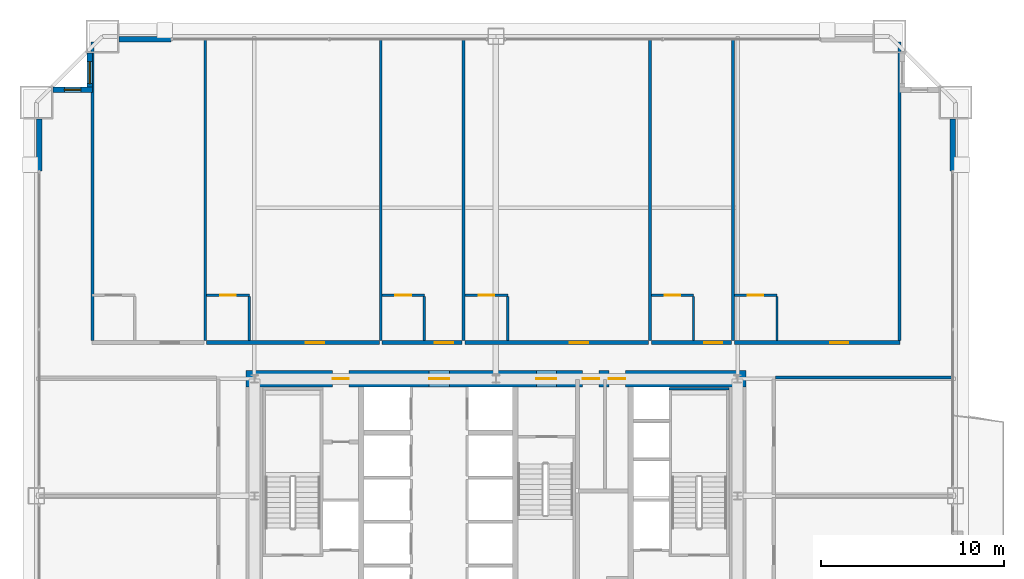
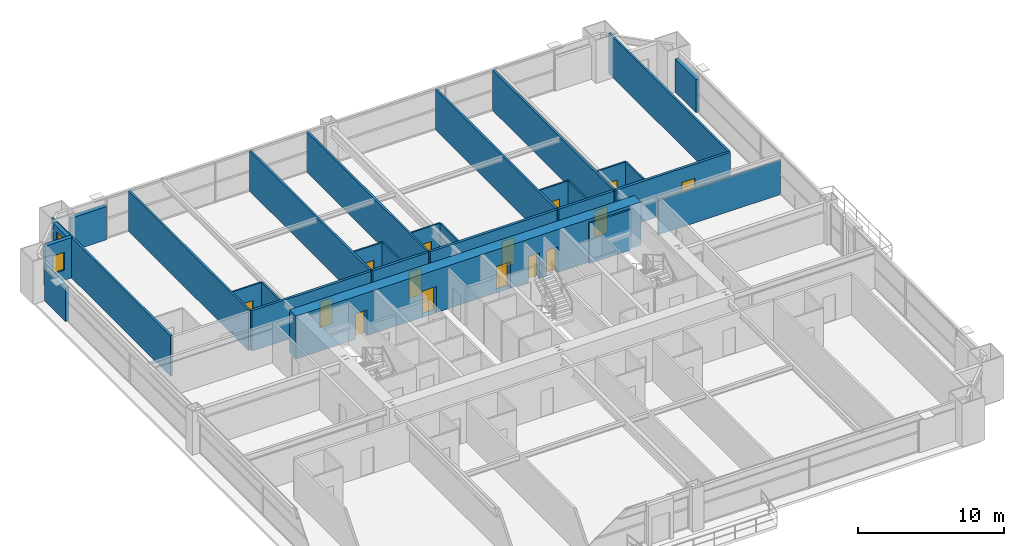
# One storey, part 41 of 43: 30 walls, 15 doors, 2 windows, 17 openings.
"""IFC4 building model written with IfcOpenShell, lengths in metres."""

import ifcopenshell
import ifcopenshell.guid

model = None  # the IFC model being written
_history = None  # IfcOwnerHistory: only IFC2X3 demands one
_inside = {}  # id of a spatial element -> (the spatial element, [elements in it])
_under = {}  # id of a project, library or spatial element -> (it, [spatial elements below it])
_declared = {}  # id of a project -> (the project, [libraries it declares])
_typed = {}  # id of a type object -> (the type object, [elements of that type])
_made_of = {}  # id of a material, layer set ... -> (it, [elements and type objects made of it])


def new_model(schema):
    """Start an empty IFC model of exactly this schema.

    Asked for "IFC4X3", IfcOpenShell would pick the latest addendum, in which some entities
    have other attributes; the version numbers below select the first issue.
    IFC2X3 requires an IfcOwnerHistory on every rooted entity: one is made here for all.
    """
    global model, _history
    if schema == "IFC4X3":
        model = ifcopenshell.file(schema_version=(4, 3, 0, 0))
    else:
        model = ifcopenshell.file(schema=schema)
    _inside.clear()
    _under.clear()
    _declared.clear()
    _typed.clear()
    _made_of.clear()
    _history = None
    if model.schema == "IFC2X3":
        org = make("IfcOrganization", Name="unknown")
        user = make(
            "IfcPersonAndOrganization",
            ThePerson=make("IfcPerson", FamilyName="unknown"),
            TheOrganization=org,
        )
        app = make(
            "IfcApplication",
            ApplicationDeveloper=org,
            Version="unknown",
            ApplicationFullName="unknown",
            ApplicationIdentifier="unknown",
        )
        _history = make(
            "IfcOwnerHistory",
            OwningUser=user,
            OwningApplication=app,
            ChangeAction="ADDED",
            CreationDate=0,
        )
    return model


def make(cls, **values):
    """One entity of the class cls with the attributes given. An attribute that is None is left unset."""
    return model.create_entity(
        cls, **{name: value for name, value in values.items() if value is not None}
    )


def rooted(cls, **values):
    """An entity with a GlobalId (a new one), such as an element, a storey or a relation."""
    return make(cls, GlobalId=ifcopenshell.guid.new(), OwnerHistory=_history, **values)


def si_unit(unit_type, name, prefix=None):
    """IfcSIUnit, for example si_unit("LENGTHUNIT", "METRE", prefix="MILLI")."""
    return make("IfcSIUnit", UnitType=unit_type, Prefix=prefix, Name=name)


def assignment(units):
    """IfcUnitAssignment: the units of a project."""
    return None if units is None else make("IfcUnitAssignment", Units=units)


def point(xyz):
    """IfcCartesianPoint."""
    return None if xyz is None else make("IfcCartesianPoint", Coordinates=xyz)


def direction(xyz):
    """IfcDirection."""
    return None if xyz is None else make("IfcDirection", DirectionRatios=xyz)


def frame(location, z_axis=None, x_axis=None):
    """IfcAxis2Placement3D, a coordinate frame: its origin and axes. An axis left out is left unset."""
    return make(
        "IfcAxis2Placement3D",
        Location=point(location),
        Axis=direction(z_axis),
        RefDirection=direction(x_axis),
    )


def frame_2d(location, x_axis=None):
    """IfcAxis2Placement2D, a coordinate frame in the plane: its origin and x axis."""
    return make(
        "IfcAxis2Placement2D", Location=point(location), RefDirection=direction(x_axis)
    )


def origin():
    """The frame at (0, 0, 0) with its axes left unset."""
    return frame((0.0, 0.0, 0.0))


def place(relative_to, where):
    """IfcLocalPlacement: puts the frame where relative to a parent placement (None: the world)."""
    return make(
        "IfcLocalPlacement", PlacementRelTo=relative_to, RelativePlacement=where
    )


def context(
    kind, dimensions, precision=None, world=None, true_north=None, identifier=None
):
    """IfcGeometricRepresentationContext, for example the 3D "Model" context."""
    return make(
        "IfcGeometricRepresentationContext",
        ContextIdentifier=identifier,
        ContextType=kind,
        CoordinateSpaceDimension=dimensions,
        Precision=precision,
        WorldCoordinateSystem=world,
        TrueNorth=true_north,
    )


def subcontext(parent, identifier, kind, view, scale=None):
    """IfcGeometricRepresentationSubContext, for example "Body" below "Model"."""
    return make(
        "IfcGeometricRepresentationSubContext",
        ContextIdentifier=identifier,
        ContextType=kind,
        ParentContext=parent,
        TargetScale=scale,
        TargetView=view,
    )


def project(units=None, contexts=None):
    """IfcProject with its units and contexts."""
    return rooted(
        "IfcProject",
        Name="project",
        RepresentationContexts=contexts,
        UnitsInContext=assignment(units),
    )


def spatial(cls, under=None, at=None, **own):
    """A site, building, storey or space (cls), placed at a placement, below another one or the project."""
    s = rooted(cls, ObjectPlacement=at, **own)
    if under is not None:
        _under.setdefault(under.id(), (under, []))[1].append(s)
    return s


def profile(cls, at=None, kind="AREA", **sizes):
    """A parametric profile (cls). Its sizes go by their IFC names, for example OverallWidth=200.0."""
    return make(cls, ProfileType=kind, Position=at, **sizes)


def rectangle(**sizes):
    """IfcRectangleProfileDef."""
    return profile("IfcRectangleProfileDef", **sizes)


def extrude(swept, where, along, depth):
    """IfcExtrudedAreaSolid: the profile swept, set in the frame where, extruded along a direction by depth."""
    return make(
        "IfcExtrudedAreaSolid",
        SweptArea=swept,
        Position=where,
        ExtrudedDirection=direction(along),
        Depth=depth,
    )


def shape(context_of_items, identifier, shape_type, items):
    """IfcShapeRepresentation: the items that make up one representation, for example the "Body"."""
    return make(
        "IfcShapeRepresentation",
        ContextOfItems=context_of_items,
        RepresentationIdentifier=identifier,
        RepresentationType=shape_type,
        Items=items,
    )


def source(mapping_origin, context_of_items, identifier, shape_type, items):
    """IfcRepresentationMap: a shape defined once, which mapped items show again and again."""
    return make(
        "IfcRepresentationMap",
        MappingOrigin=mapping_origin,
        MappedRepresentation=shape(context_of_items, identifier, shape_type, items),
    )


def transform(
    local_origin,
    x_axis=None,
    y_axis=None,
    z_axis=None,
    scale=None,
    scale2=None,
    scale3=None,
    uniform=True,
):
    """IfcCartesianTransformationOperator3D, or its non-uniform kind. x_axis, y_axis, z_axis: its Axis1, 2, 3."""
    if uniform:
        return make(
            "IfcCartesianTransformationOperator3D",
            Axis1=direction(x_axis),
            Axis2=direction(y_axis),
            LocalOrigin=point(local_origin),
            Scale=scale,
            Axis3=direction(z_axis),
        )
    return make(
        "IfcCartesianTransformationOperator3DnonUniform",
        Axis1=direction(x_axis),
        Axis2=direction(y_axis),
        LocalOrigin=point(local_origin),
        Scale=scale,
        Axis3=direction(z_axis),
        Scale2=scale2,
        Scale3=scale3,
    )


def mapped(mapping_source, mapping_target):
    """IfcMappedItem: shows the shape of a source again, moved by a transform."""
    return make(
        "IfcMappedItem", MappingSource=mapping_source, MappingTarget=mapping_target
    )


def material(Name=None, Category=None):
    """IfcMaterial."""
    return make("IfcMaterial", Name=Name, Category=Category)


def layer(
    of_material, thickness, ventilated=None, Name=None, Category=None, Priority=None
):
    """IfcMaterialLayer: one layer of a wall or slab, of a material (None: an air gap)."""
    return make(
        "IfcMaterialLayer",
        Material=of_material,
        LayerThickness=thickness,
        IsVentilated=ventilated,
        Name=Name,
        Category=Category,
        Priority=Priority,
    )


def layer_set(layers, Name=None):
    """IfcMaterialLayerSet."""
    return make("IfcMaterialLayerSet", MaterialLayers=layers, LayerSetName=Name)


def made_of(thing, what):
    """Note that an element or type object is made of a material, layer set ...; save() writes the relation."""
    if what is not None:
        _made_of.setdefault(what.id(), (what, []))[1].append(thing)
    return thing


def type_object(cls, material=None, **own):
    """A type object (cls), such as IfcWallType, which elements share."""
    return made_of(rooted(cls, **own), material)


def element(
    cls,
    number,
    at=None,
    inside=None,
    cuts=None,
    type_object=None,
    material=None,
    context=None,
    identifier="Body",
    shape_type=None,
    held_by="IfcProductDefinitionShape",
    body=None,
    shapes=None,
    **own,
):
    """One element of the class cls, such as IfcWall. Its Tag is "e" and its number.

    at: its placement. inside: the storey or other place that contains it. cuts: it is an
    opening in that element (IfcRelVoidsElement). A single representation is given by context,
    identifier, shape_type and body (its items); several are given by shapes. held_by: the class
    of the entity that holds the representations. save() writes the other relations.
    """
    e = rooted(cls, Tag="e%d" % number, ObjectPlacement=at, **own)
    if body is not None:
        shapes = [shape(context, identifier, shape_type, body)]
    if shapes is not None:
        e.Representation = make(held_by, Representations=shapes)
    if inside is not None:
        _inside.setdefault(inside.id(), (inside, []))[1].append(e)
    if cuts is not None:
        rooted(
            "IfcRelVoidsElement", RelatingBuildingElement=cuts, RelatedOpeningElement=e
        )
    if type_object is not None:
        _typed.setdefault(type_object.id(), (type_object, []))[1].append(e)
    return made_of(e, material)


def fill(opening, filler):
    """IfcRelFillsElement: the door or window that sits in an opening."""
    return rooted(
        "IfcRelFillsElement",
        RelatingOpeningElement=opening,
        RelatedBuildingElement=filler,
    )


def aggregate(whole, parts):
    """IfcRelAggregates: a whole, such as a stair, and the parts it consists of."""
    return rooted("IfcRelAggregates", RelatingObject=whole, RelatedObjects=parts)


def save(model, path):
    """Write the relations noted so far, then the file.

    IfcRelAggregates (storeys below a building ...), IfcRelContainedInSpatialStructure (elements
    in a storey), IfcRelDefinesByType, IfcRelAssociatesMaterial and IfcRelDeclares: one each for
    every whole, place, type object, material and project.
    """
    for whole, parts in _under.values():
        aggregate(whole, parts)
    for where, things in _inside.values():
        rooted(
            "IfcRelContainedInSpatialStructure",
            RelatedElements=things,
            RelatingStructure=where,
        )
    for kind, things in _typed.values():
        rooted("IfcRelDefinesByType", RelatedObjects=things, RelatingType=kind)
    for what, things in _made_of.values():
        rooted("IfcRelAssociatesMaterial", RelatedObjects=things, RelatingMaterial=what)
    for by, libraries in _declared.values():
        rooted("IfcRelDeclares", RelatingContext=by, RelatedDefinitions=libraries)
    model.write(path)


model = new_model("IFC4")

# Units and contexts
model_context = context("Model", 3, precision=1e-05, world=origin(), true_north=direction((0.0, 1.0)))
body_context = subcontext(model_context, "Body", "Model", "MODEL_VIEW")
ifc_project = project(units=[si_unit("LENGTHUNIT", "METRE"), si_unit("AREAUNIT", "SQUARE_METRE"), si_unit("VOLUMEUNIT", "CUBIC_METRE"), si_unit("PLANEANGLEUNIT", "RADIAN"), si_unit("MASSUNIT", "GRAM", prefix="KILO"), si_unit("THERMODYNAMICTEMPERATUREUNIT", "KELVIN"), si_unit("POWERUNIT", "WATT")], contexts=[model_context])

# Site, building, storey
site_placement = place(None, origin())
site = spatial("IfcSite", under=ifc_project, at=site_placement, CompositionType="ELEMENT")
building_placement = place(site_placement, origin())
building = spatial("IfcBuilding", under=site, at=building_placement, Name="Yuzanri Waterfront Tower", CompositionType="ELEMENT")
storey_placement = place(building_placement, frame((0.0, 0.0, 71.199951171875)))
storey = spatial("IfcBuildingStorey", under=building, at=storey_placement, Name="L18", CompositionType="ELEMENT", Elevation=71.199951171875)

# Wall, opening, door
ifc_material_1 = material(Name="Moisture-Resistant Gypsum Stud Wall", Category="gypsum")
ifc_layer_1 = layer(ifc_material_1, 0.1201171875)
ifc_layer_set_1 = layer_set([ifc_layer_1], Name="Moisture-Resistant Gypsum Stud Wall")
wall_type_1 = type_object("IfcWallType", Name="Bathroom and Kitchen Wet Partition 120", PredefinedType="PARTITIONING", material=ifc_layer_set_1)
wall_1_placement = place(storey_placement, frame((21.197021484375, 36.760009765625, 0.0), z_axis=(0.0, 0.0, 1.0), x_axis=(1.0, 0.0, 0.0)))
wall_1 = element("IfcWall", 1, at=wall_1_placement, inside=storey, type_object=wall_type_1, Name="L18 Partition UW-L18-N2-BN", PredefinedType="PARTITIONING", context=body_context, shape_type="SweptSolid", body=[
    extrude(rectangle(XDim=2.330078125, YDim=0.1201171875, at=frame_2d((1.1650390625, 0.0))), origin(), (0.0, 0.0, 1.0), 3.380126953125),
])
opening_1_placement = place(wall_1_placement, frame((0.739990234375, 0.0, 0.0)))
opening_1 = element("IfcOpeningElement", 2, at=opening_1_placement, cuts=wall_1, Name="Opening ID-0850", PredefinedType="OPENING", context=body_context, shape_type="SweptSolid", body=[
    extrude(rectangle(XDim=0.85009765625, YDim=2.10009765625, at=frame_2d((0.425048828125, 1.050048828125))), frame((0.0, 0.074951171875, 0.0), z_axis=(0.0, -1.0, 0.0), x_axis=(1.0, 0.0, 0.0)), (0.0, 0.0, 1.0), 0.14990234375),
])
ifc_material_2 = material(Name="Moisture-Resistant Lacquered Timber", Category="wood")
door_type_1 = type_object("IfcDoorType", Name="En-Suite Bathroom and Kitchen Swing Door 850x2100", OperationType="NOTDEFINED", PredefinedType="DOOR", material=ifc_material_2)
shared_shape_1 = source(origin(), body_context, "Body", "SweptSolid", [
    extrude(rectangle(XDim=0.85009765625, YDim=2.10009765625, at=frame_2d((0.425048828125, 1.050048828125))), frame((0.0, 0.02490234375, 0.0), z_axis=(0.0, -1.0, 0.0), x_axis=(1.0, 0.0, 0.0)), (0.0, 0.0, 1.0), 0.050048828125),
])
door_1_placement = place(opening_1_placement, origin())
door_1 = element("IfcDoor", 3, at=door_1_placement, inside=storey, type_object=door_type_1, Name="L18 Guest En-Suite Door", OperationType="SINGLE_SWING_LEFT", OverallHeight=2.10009765625, OverallWidth=0.85009765625, PredefinedType="DOOR", context=body_context, shape_type="MappedRepresentation", body=[
    mapped(shared_shape_1, transform((0.0, 0.0, 0.0), scale=1.0)),
])
fill(opening_1, door_1)

wall_2_placement = place(storey_placement, frame((30.785888671875, 36.760009765625, 0.0), z_axis=(0.0, 0.0, 1.0), x_axis=(1.0, 0.0, 0.0)))
wall_2 = element("IfcWall", 4, at=wall_2_placement, inside=storey, type_object=wall_type_1, Name="L18 Partition UW-L18-N3-BN", PredefinedType="PARTITIONING", context=body_context, shape_type="SweptSolid", body=[
    extrude(rectangle(XDim=2.299072265625, YDim=0.1201171875, at=frame_2d((1.1494140625, 0.0))), origin(), (0.0, 0.0, 1.0), 3.380126953125),
])
opening_2_placement = place(wall_2_placement, frame((0.724609375, 0.0, 0.0)))
opening_2 = element("IfcOpeningElement", 5, at=opening_2_placement, cuts=wall_2, Name="Opening ID-0850", PredefinedType="OPENING", context=body_context, shape_type="SweptSolid", body=[
    extrude(rectangle(XDim=0.85009765625, YDim=2.10009765625, at=frame_2d((0.425048828125, 1.050048828125))), frame((0.0, 0.074951171875, 0.0), z_axis=(0.0, -1.0, 0.0), x_axis=(1.0, 0.0, 0.0)), (0.0, 0.0, 1.0), 0.14990234375),
])
door_2_placement = place(opening_2_placement, origin())
door_2 = element("IfcDoor", 6, at=door_2_placement, inside=storey, type_object=door_type_1, Name="L18 Guest En-Suite Door", OperationType="SINGLE_SWING_LEFT", OverallHeight=2.10009765625, OverallWidth=0.85009765625, PredefinedType="DOOR", context=body_context, shape_type="MappedRepresentation", body=[
    mapped(shared_shape_1, transform((0.0, 0.0, 0.0), scale=1.0)),
])
fill(opening_2, door_2)

wall_3_placement = place(storey_placement, frame((35.31494140625, 36.760009765625, 0.0), z_axis=(0.0, 0.0, 1.0), x_axis=(1.0, 0.0, 0.0)))
wall_3 = element("IfcWall", 7, at=wall_3_placement, inside=storey, type_object=wall_type_1, Name="L18 Partition UW-L18-N4-BN", PredefinedType="PARTITIONING", context=body_context, shape_type="SweptSolid", body=[
    extrude(rectangle(XDim=2.330078125, YDim=0.1201171875, at=frame_2d((1.1650390625, 0.0))), origin(), (0.0, 0.0, 1.0), 3.380126953125),
])
opening_3_placement = place(wall_3_placement, frame((0.739990234375, 0.0, 0.0)))
opening_3 = element("IfcOpeningElement", 8, at=opening_3_placement, cuts=wall_3, Name="Opening ID-0850", PredefinedType="OPENING", context=body_context, shape_type="SweptSolid", body=[
    extrude(rectangle(XDim=0.85009765625, YDim=2.10009765625, at=frame_2d((0.425048828125, 1.050048828125))), frame((0.0, 0.074951171875, 0.0), z_axis=(0.0, -1.0, 0.0), x_axis=(1.0, 0.0, 0.0)), (0.0, 0.0, 1.0), 0.14990234375),
])
door_3_placement = place(opening_3_placement, origin())
door_3 = element("IfcDoor", 9, at=door_3_placement, inside=storey, type_object=door_type_1, Name="L18 Guest En-Suite Door", OperationType="SINGLE_SWING_LEFT", OverallHeight=2.10009765625, OverallWidth=0.85009765625, PredefinedType="DOOR", context=body_context, shape_type="MappedRepresentation", body=[
    mapped(shared_shape_1, transform((0.0, 0.0, 0.0), scale=1.0)),
])
fill(opening_3, door_3)

wall_4_placement = place(storey_placement, frame((45.491943359375, 36.760009765625, 0.0), z_axis=(0.0, 0.0, 1.0), x_axis=(1.0, 0.0, 0.0)))
wall_4 = element("IfcWall", 10, at=wall_4_placement, inside=storey, type_object=wall_type_1, Name="L18 Partition UW-L18-N5-BN", PredefinedType="PARTITIONING", context=body_context, shape_type="SweptSolid", body=[
    extrude(rectangle(XDim=2.300048828125, YDim=0.1201171875, at=frame_2d((1.14990234375, 0.0))), origin(), (0.0, 0.0, 1.0), 3.380126953125),
])
opening_4_placement = place(wall_4_placement, frame((0.72509765625, 0.0, 0.0)))
opening_4 = element("IfcOpeningElement", 11, at=opening_4_placement, cuts=wall_4, Name="Opening ID-0850", PredefinedType="OPENING", context=body_context, shape_type="SweptSolid", body=[
    extrude(rectangle(XDim=0.85009765625, YDim=2.10009765625, at=frame_2d((0.425048828125, 1.050048828125))), frame((0.0, 0.074951171875, 0.0), z_axis=(0.0, -1.0, 0.0), x_axis=(1.0, 0.0, 0.0)), (0.0, 0.0, 1.0), 0.14990234375),
])
door_4_placement = place(opening_4_placement, origin())
door_4 = element("IfcDoor", 12, at=door_4_placement, inside=storey, type_object=door_type_1, Name="L18 Guest En-Suite Door", OperationType="SINGLE_SWING_LEFT", OverallHeight=2.10009765625, OverallWidth=0.85009765625, PredefinedType="DOOR", context=body_context, shape_type="MappedRepresentation", body=[
    mapped(shared_shape_1, transform((0.0, 0.0, 0.0), scale=1.0)),
])
fill(opening_4, door_4)

wall_5_placement = place(storey_placement, frame((50.02197265625, 36.760009765625, 0.0), z_axis=(0.0, 0.0, 1.0), x_axis=(1.0, 0.0, 0.0)))
wall_5 = element("IfcWall", 13, at=wall_5_placement, inside=storey, type_object=wall_type_1, Name="L18 Partition UW-L18-N6-BN", PredefinedType="PARTITIONING", context=body_context, shape_type="SweptSolid", body=[
    extrude(rectangle(XDim=2.330078125, YDim=0.1201171875, at=frame_2d((1.1650390625, 0.0))), origin(), (0.0, 0.0, 1.0), 3.380126953125),
])
opening_5_placement = place(wall_5_placement, frame((0.739990234375, 0.0, 0.0)))
opening_5 = element("IfcOpeningElement", 14, at=opening_5_placement, cuts=wall_5, Name="Opening ID-0850", PredefinedType="OPENING", context=body_context, shape_type="SweptSolid", body=[
    extrude(rectangle(XDim=0.85009765625, YDim=2.10009765625, at=frame_2d((0.425048828125, 1.050048828125))), frame((0.0, 0.074951171875, 0.0), z_axis=(0.0, -1.0, 0.0), x_axis=(1.0, 0.0, 0.0)), (0.0, 0.0, 1.0), 0.14990234375),
])
door_5_placement = place(opening_5_placement, origin())
door_5 = element("IfcDoor", 15, at=door_5_placement, inside=storey, type_object=door_type_1, Name="L18 Guest En-Suite Door", OperationType="SINGLE_SWING_LEFT", OverallHeight=2.10009765625, OverallWidth=0.85009765625, PredefinedType="DOOR", context=body_context, shape_type="MappedRepresentation", body=[
    mapped(shared_shape_1, transform((0.0, 0.0, 0.0), scale=1.0)),
])
fill(opening_5, door_5)

# Wall, opening, window
ifc_material_3 = material(Name="Honed Chongqing Dark Basalt Stone", Category="masonry")
ifc_layer_2 = layer(ifc_material_3, 0.300048828125)
ifc_layer_set_2 = layer_set([ifc_layer_2], Name="Honed Chongqing Dark Basalt Stone")
wall_type_2 = type_object("IfcWallType", Name="Bronze Rainscreen Insulated Spandrel Portal Wall 300", PredefinedType="SOLIDWALL", material=ifc_layer_set_2)
wall_6_placement = place(storey_placement, frame((14.949951171875, 48.0, 0.0), z_axis=(0.0, 0.0, 1.0), x_axis=(-1.0, 0.0, 0.0)))
wall_6 = element("IfcWall", 16, at=wall_6_placement, inside=storey, type_object=wall_type_2, Name="L18 Notched Corner Masonry Wall NW-X", PredefinedType="SOLIDWALL", context=body_context, shape_type="SweptSolid", body=[
    extrude(rectangle(XDim=2.14990234375, YDim=0.300048828125, at=frame_2d((1.074951171875, 0.0))), origin(), (0.0, 0.0, 1.0), 3.380126953125),
])
opening_6_placement = place(wall_6_placement, frame((0.625, 0.0, 0.85009765625)))
opening_6 = element("IfcOpeningElement", 17, at=opening_6_placement, cuts=wall_6, Name="Opening WN-05", PredefinedType="OPENING", context=body_context, shape_type="SweptSolid", body=[
    extrude(rectangle(XDim=0.89990234375, YDim=1.5, at=frame_2d((0.449951171875, 0.75))), frame((0.0, 0.1650390625, 0.0), z_axis=(0.0, -1.0, 0.0), x_axis=(1.0, 0.0, 0.0)), (0.0, 0.0, 1.0), 0.329833984375),
])
ifc_material_4 = material(Name="Double-Silver Low-E Insulated Glass", Category="glass")
window_type_1 = type_object("IfcWindowType", Name="Anodized Bronze Service and Stairwell Smoke-Vent Window 900x1500", PartitioningType="SINGLE_PANEL", PredefinedType="WINDOW", material=ifc_material_4)
shared_shape_2 = source(origin(), body_context, "Body", "SweptSolid", [
    extrude(rectangle(XDim=0.89990234375, YDim=1.5, at=frame_2d((0.449951171875, 0.75))), frame((0.0, 0.030029296875, 0.0), z_axis=(0.0, -1.0, 0.0), x_axis=(1.0, 0.0, 0.0)), (0.0, 0.0, 1.0), 0.06005859375),
])
window_1_placement = place(opening_6_placement, origin())
window_1 = element("IfcWindow", 18, at=window_1_placement, inside=storey, type_object=window_type_1, Name="L18 Notched Corner Window NW-X", OverallHeight=1.5, OverallWidth=0.89990234375, PartitioningType="SINGLE_PANEL", PredefinedType="WINDOW", context=body_context, shape_type="MappedRepresentation", body=[
    mapped(shared_shape_2, transform((0.0, 0.0, 0.0), scale=1.0)),
])
fill(opening_6, window_1)

wall_7_placement = place(storey_placement, frame((14.800048828125, 50.0, 0.0), z_axis=(0.0, 0.0, 1.0), x_axis=(0.0, -1.0, 0.0)))
wall_7 = element("IfcWall", 19, at=wall_7_placement, inside=storey, type_object=wall_type_2, Name="L18 Notched Corner Masonry Wall NW-Y", PredefinedType="SOLIDWALL", context=body_context, shape_type="SweptSolid", body=[
    extrude(rectangle(XDim=2.14990234375, YDim=0.300048828125, at=frame_2d((1.074951171875, 0.0))), origin(), (0.0, 0.0, 1.0), 3.380126953125),
])
opening_7_placement = place(wall_7_placement, frame((0.47509765625, 0.0, 0.85009765625)))
opening_7 = element("IfcOpeningElement", 20, at=opening_7_placement, cuts=wall_7, Name="Opening WN-02", PredefinedType="OPENING", context=body_context, shape_type="SweptSolid", body=[
    extrude(rectangle(XDim=1.199951171875, YDim=2.10009765625, at=frame_2d((0.60009765625, 1.050048828125))), frame((0.0, 0.1650390625, 0.0), z_axis=(0.0, -1.0, 0.0), x_axis=(1.0, 0.0, 0.0)), (0.0, 0.0, 1.0), 0.329833984375),
])
ifc_material_5 = material(Name="Double-Silver Low-E Insulated Glass", Category="glass")
window_type_2 = type_object("IfcWindowType", Name="Anodized Bronze Notched Corner Deep-Set Slot Window 1200x2100", PartitioningType="SINGLE_PANEL", PredefinedType="WINDOW", material=ifc_material_5)
shared_shape_3 = source(origin(), body_context, "Body", "SweptSolid", [
    extrude(rectangle(XDim=1.199951171875, YDim=2.10009765625, at=frame_2d((0.60009765625, 1.050048828125))), frame((0.0, 0.030029296875, 0.0), z_axis=(0.0, -1.0, 0.0), x_axis=(1.0, 0.0, 0.0)), (0.0, 0.0, 1.0), 0.06005859375),
])
window_2_placement = place(opening_7_placement, origin())
window_2 = element("IfcWindow", 21, at=window_2_placement, inside=storey, type_object=window_type_2, Name="L18 Notched Corner Window NW-Y", OverallHeight=2.10009765625, OverallWidth=1.199951171875, PartitioningType="SINGLE_PANEL", PredefinedType="WINDOW", context=body_context, shape_type="MappedRepresentation", body=[
    mapped(shared_shape_3, transform((0.0, 0.0, 0.0), scale=1.0)),
])
fill(opening_7, window_2)

# Wall, openings, doors
ifc_material_6 = material(Name="Concrete C60", Category="concrete")
ifc_layer_3 = layer(ifc_material_6, 0.89990234375)
ifc_layer_set_3 = layer_set([ifc_layer_3], Name="Concrete C60")
wall_type_3 = type_object("IfcWallType", Name="Concrete C60 Lower Zone Core Shear Wall 900", PredefinedType="SHEAR", material=ifc_layer_set_3)
wall_8_placement = place(storey_placement, frame((23.35009765625, 32.199951171875, 0.0), z_axis=(0.0, 0.0, 1.0), x_axis=(1.0, 0.0, 0.0)))
wall_8 = element("IfcWall", 22, at=wall_8_placement, inside=storey, type_object=wall_type_3, Name="L18 Core North Shear Wall", PredefinedType="SHEAR", context=body_context, shape_type="SweptSolid", body=[
    extrude(rectangle(XDim=27.2998046875, YDim=0.89990234375, at=frame_2d((13.64990234375, 0.0))), origin(), (0.0, 0.0, 1.0), 3.60009765625),
])
opening_8_placement = place(wall_8_placement, frame((4.719970703125, 0.0, 0.0)))
opening_8 = element("IfcOpeningElement", 23, at=opening_8_placement, cuts=wall_8, Name="Opening FD-0900", PredefinedType="OPENING", context=body_context, shape_type="SweptSolid", body=[
    extrude(rectangle(XDim=0.89990234375, YDim=2.14990234375, at=frame_2d((0.449951171875, 1.074951171875))), frame((0.0, 0.46484375, 0.0), z_axis=(0.0, -1.0, 0.0), x_axis=(1.0, 0.0, 0.0)), (0.0, 0.0, 1.0), 0.9296875),
])
opening_9_placement = place(wall_8_placement, frame((10.0, 0.0, 0.0)))
opening_9 = element("IfcOpeningElement", 24, at=opening_9_placement, cuts=wall_8, Name="Opening FD-1100", PredefinedType="OPENING", context=body_context, shape_type="SweptSolid", body=[
    extrude(rectangle(XDim=1.10009765625, YDim=2.199951171875, at=frame_2d((0.550048828125, 1.10009765625))), frame((0.0, 0.46484375, 0.0), z_axis=(0.0, -1.0, 0.0), x_axis=(1.0, 0.0, 0.0)), (0.0, 0.0, 1.0), 0.9296875),
])
opening_10_placement = place(wall_8_placement, frame((15.85009765625, 0.0, 0.0)))
opening_10 = element("IfcOpeningElement", 25, at=opening_10_placement, cuts=wall_8, Name="Opening FD-1100", PredefinedType="OPENING", context=body_context, shape_type="SweptSolid", body=[
    extrude(rectangle(XDim=1.10009765625, YDim=2.199951171875, at=frame_2d((0.550048828125, 1.10009765625))), frame((0.0, 0.46484375, 0.0), z_axis=(0.0, -1.0, 0.0), x_axis=(1.0, 0.0, 0.0)), (0.0, 0.0, 1.0), 0.9296875),
])
opening_11_placement = place(wall_8_placement, frame((18.3798828125, 0.0, 0.0)))
opening_11 = element("IfcOpeningElement", 26, at=opening_11_placement, cuts=wall_8, Name="Opening FD-0900", PredefinedType="OPENING", context=body_context, shape_type="SweptSolid", body=[
    extrude(rectangle(XDim=0.89990234375, YDim=2.14990234375, at=frame_2d((0.449951171875, 1.074951171875))), frame((0.0, 0.46484375, 0.0), z_axis=(0.0, -1.0, 0.0), x_axis=(1.0, 0.0, 0.0)), (0.0, 0.0, 1.0), 0.9296875),
])
opening_12_placement = place(wall_8_placement, frame((19.820068359375, 0.0, 0.0)))
opening_12 = element("IfcOpeningElement", 27, at=opening_12_placement, cuts=wall_8, Name="Opening FD-0900", PredefinedType="OPENING", context=body_context, shape_type="SweptSolid", body=[
    extrude(rectangle(XDim=0.89990234375, YDim=2.14990234375, at=frame_2d((0.449951171875, 1.074951171875))), frame((0.0, 0.46484375, 0.0), z_axis=(0.0, -1.0, 0.0), x_axis=(1.0, 0.0, 0.0)), (0.0, 0.0, 1.0), 0.9296875),
])
ifc_material_7 = material(Name="Painted Galvanized Fire Steel", Category="steel")
door_type_2 = type_object("IfcDoorType", Name="Smoke-Proof Stair and Lobby Fire Door 1100x2200", OperationType="NOTDEFINED", PredefinedType="DOOR", material=ifc_material_7)
shared_shape_4 = source(origin(), body_context, "Body", "SweptSolid", [
    extrude(rectangle(XDim=1.10009765625, YDim=2.199951171875, at=frame_2d((0.550048828125, 1.10009765625))), frame((0.0, 0.02490234375, 0.0), z_axis=(0.0, -1.0, 0.0), x_axis=(1.0, 0.0, 0.0)), (0.0, 0.0, 1.0), 0.050048828125),
])
door_6_placement = place(opening_9_placement, origin())
door_6 = element("IfcDoor", 28, at=door_6_placement, inside=storey, type_object=door_type_2, Name="L18 Central Lift Lobby North Door", OperationType="SINGLE_SWING_LEFT", OverallHeight=2.199951171875, OverallWidth=1.10009765625, PredefinedType="DOOR", context=body_context, shape_type="MappedRepresentation", body=[
    mapped(shared_shape_4, transform((0.0, 0.0, 0.0), scale=1.0)),
])
fill(opening_9, door_6)
door_7_placement = place(opening_10_placement, origin())
door_7 = element("IfcDoor", 29, at=door_7_placement, inside=storey, type_object=door_type_2, Name="L18 North Stair Lobby Door", OperationType="SINGLE_SWING_RIGHT", OverallHeight=2.199951171875, OverallWidth=1.10009765625, PredefinedType="DOOR", context=body_context, shape_type="MappedRepresentation", body=[
    mapped(shared_shape_4, transform((0.0, 0.0, 0.0), scale=1.0)),
])
fill(opening_10, door_7)
ifc_material_8 = material(Name="Painted Galvanized Fire Steel", Category="steel")
door_type_3 = type_object("IfcDoorType", Name="Riser and Service Room Fire Door 900x2150", OperationType="NOTDEFINED", PredefinedType="DOOR", material=ifc_material_8)
shared_shape_5 = source(origin(), body_context, "Body", "SweptSolid", [
    extrude(rectangle(XDim=0.89990234375, YDim=2.14990234375, at=frame_2d((0.449951171875, 1.074951171875))), frame((0.0, 0.02490234375, 0.0), z_axis=(0.0, -1.0, 0.0), x_axis=(1.0, 0.0, 0.0)), (0.0, 0.0, 1.0), 0.050048828125),
])
door_8_placement = place(opening_8_placement, origin())
door_8 = element("IfcDoor", 30, at=door_8_placement, inside=storey, type_object=door_type_3, Name="L18 Telecom Riser Door", OperationType="SINGLE_SWING_RIGHT", OverallHeight=2.14990234375, OverallWidth=0.89990234375, PredefinedType="DOOR", context=body_context, shape_type="MappedRepresentation", body=[
    mapped(shared_shape_5, transform((0.0, 0.0, 0.0), scale=1.0)),
])
fill(opening_8, door_8)
door_9_placement = place(opening_11_placement, origin())
door_9 = element("IfcDoor", 31, at=door_9_placement, inside=storey, type_object=door_type_3, Name="L18 Common Store Room", OperationType="SINGLE_SWING_RIGHT", OverallHeight=2.14990234375, OverallWidth=0.89990234375, PredefinedType="DOOR", context=body_context, shape_type="MappedRepresentation", body=[
    mapped(shared_shape_5, transform((0.0, 0.0, 0.0), scale=1.0)),
])
fill(opening_11, door_9)
door_10_placement = place(opening_12_placement, origin())
door_10 = element("IfcDoor", 32, at=door_10_placement, inside=storey, type_object=door_type_3, Name="L18 Linen Store Room", OperationType="SINGLE_SWING_LEFT", OverallHeight=2.14990234375, OverallWidth=0.89990234375, PredefinedType="DOOR", context=body_context, shape_type="MappedRepresentation", body=[
    mapped(shared_shape_5, transform((0.0, 0.0, 0.0), scale=1.0)),
])
fill(opening_12, door_10)

# Wall, opening, door
ifc_material_9 = material(Name="Autoclaved Aerated Concrete Blockwork", Category="masonry")
ifc_layer_4 = layer(ifc_material_9, 0.199951171875)
ifc_layer_set_4 = layer_set([ifc_layer_4], Name="Autoclaved Aerated Concrete Blockwork")
wall_type_4 = type_object("IfcWallType", Name="Corridor and Unit Party Fire Wall 200", PredefinedType="PARTITIONING", material=ifc_layer_set_4)
wall_9_placement = place(storey_placement, frame((21.197021484375, 34.179931640625, 0.0), z_axis=(0.0, 0.0, 1.0), x_axis=(1.0, 0.0, 0.0)))
wall_9 = element("IfcWall", 33, at=wall_9_placement, inside=storey, type_object=wall_type_4, Name="L18 Partition UW-L18-N2-CS", PredefinedType="PARTITIONING", context=body_context, shape_type="SweptSolid", body=[
    extrude(rectangle(XDim=9.428955078125, YDim=0.199951171875, at=frame_2d((4.71435546875, 0.0))), origin(), (0.0, 0.0, 1.0), 3.380126953125),
])
opening_13_placement = place(wall_9_placement, frame((5.419921875, 0.0, 0.0)))
opening_13 = element("IfcOpeningElement", 34, at=opening_13_placement, cuts=wall_9, Name="Opening FD-1000", PredefinedType="OPENING", context=body_context, shape_type="SweptSolid", body=[
    extrude(rectangle(XDim=1.0, YDim=2.199951171875, at=frame_2d((0.5, 1.10009765625))), frame((0.0, 0.11474609375, 0.0), z_axis=(0.0, -1.0, 0.0), x_axis=(1.0, 0.0, 0.0)), (0.0, 0.0, 1.0), 0.229736328125),
])
ifc_material_10 = material(Name="Engineered Oak Fire-Rated Timber", Category="wood")
door_type_4 = type_object("IfcDoorType", Name="Guestroom and Apartment Entrance Fire Door 1000x2200", OperationType="NOTDEFINED", PredefinedType="DOOR", material=ifc_material_10)
shared_shape_6 = source(origin(), body_context, "Body", "SweptSolid", [
    extrude(rectangle(XDim=1.0, YDim=2.199951171875, at=frame_2d((0.5, 1.10009765625))), frame((0.0, 0.02490234375, 0.0), z_axis=(0.0, -1.0, 0.0), x_axis=(1.0, 0.0, 0.0)), (0.0, 0.0, 1.0), 0.050048828125),
])
door_11_placement = place(opening_13_placement, origin())
door_11 = element("IfcDoor", 35, at=door_11_placement, inside=storey, type_object=door_type_4, Name="L18 Superior Cityview Junior Suite Entrance Door", OperationType="SINGLE_SWING_RIGHT", OverallHeight=2.199951171875, OverallWidth=1.0, PredefinedType="DOOR", context=body_context, shape_type="MappedRepresentation", body=[
    mapped(shared_shape_6, transform((0.0, 0.0, 0.0), scale=1.0)),
])
fill(opening_13, door_11)

wall_10_placement = place(storey_placement, frame((30.785888671875, 34.179931640625, 0.0), z_axis=(0.0, 0.0, 1.0), x_axis=(1.0, 0.0, 0.0)))
wall_10 = element("IfcWall", 36, at=wall_10_placement, inside=storey, type_object=wall_type_4, Name="L18 Partition UW-L18-N3-CS", PredefinedType="PARTITIONING", context=body_context, shape_type="SweptSolid", body=[
    extrude(rectangle(XDim=4.369140625, YDim=0.199951171875, at=frame_2d((2.1845703125, 0.0))), origin(), (0.0, 0.0, 1.0), 3.380126953125),
])
opening_14_placement = place(wall_10_placement, frame((2.8740234375, 0.0, 0.0)))
opening_14 = element("IfcOpeningElement", 37, at=opening_14_placement, cuts=wall_10, Name="Opening FD-1000", PredefinedType="OPENING", context=body_context, shape_type="SweptSolid", body=[
    extrude(rectangle(XDim=1.0, YDim=2.199951171875, at=frame_2d((0.5, 1.10009765625))), frame((0.0, 0.11474609375, 0.0), z_axis=(0.0, -1.0, 0.0), x_axis=(1.0, 0.0, 0.0)), (0.0, 0.0, 1.0), 0.229736328125),
])
door_12_placement = place(opening_14_placement, origin())
door_12 = element("IfcDoor", 38, at=door_12_placement, inside=storey, type_object=door_type_4, Name="L18 Superior Cityview Guest Room Entrance Door", OperationType="SINGLE_SWING_RIGHT", OverallHeight=2.199951171875, OverallWidth=1.0, PredefinedType="DOOR", context=body_context, shape_type="MappedRepresentation", body=[
    mapped(shared_shape_6, transform((0.0, 0.0, 0.0), scale=1.0)),
])
fill(opening_14, door_12)

wall_11_placement = place(storey_placement, frame((35.31494140625, 34.179931640625, 0.0), z_axis=(0.0, 0.0, 1.0), x_axis=(1.0, 0.0, 0.0)))
wall_11 = element("IfcWall", 39, at=wall_11_placement, inside=storey, type_object=wall_type_4, Name="L18 Partition UW-L18-N4-CS", PredefinedType="PARTITIONING", context=body_context, shape_type="SweptSolid", body=[
    extrude(rectangle(XDim=10.01708984375, YDim=0.199951171875, at=frame_2d((5.008544921875, 0.0))), origin(), (0.0, 0.0, 1.0), 3.380126953125),
])
opening_15_placement = place(wall_11_placement, frame((5.712890625, 0.0, 0.0)))
opening_15 = element("IfcOpeningElement", 40, at=opening_15_placement, cuts=wall_11, Name="Opening FD-1000", PredefinedType="OPENING", context=body_context, shape_type="SweptSolid", body=[
    extrude(rectangle(XDim=1.0, YDim=2.199951171875, at=frame_2d((0.5, 1.10009765625))), frame((0.0, 0.11474609375, 0.0), z_axis=(0.0, -1.0, 0.0), x_axis=(1.0, 0.0, 0.0)), (0.0, 0.0, 1.0), 0.229736328125),
])
door_13_placement = place(opening_15_placement, origin())
door_13 = element("IfcDoor", 41, at=door_13_placement, inside=storey, type_object=door_type_4, Name="L18 Superior Cityview Junior Suite Entrance Door", OperationType="SINGLE_SWING_RIGHT", OverallHeight=2.199951171875, OverallWidth=1.0, PredefinedType="DOOR", context=body_context, shape_type="MappedRepresentation", body=[
    mapped(shared_shape_6, transform((0.0, 0.0, 0.0), scale=1.0)),
])
fill(opening_15, door_13)

wall_12_placement = place(storey_placement, frame((45.491943359375, 34.179931640625, 0.0), z_axis=(0.0, 0.0, 1.0), x_axis=(1.0, 0.0, 0.0)))
wall_12 = element("IfcWall", 42, at=wall_12_placement, inside=storey, type_object=wall_type_4, Name="L18 Partition UW-L18-N5-CS", PredefinedType="PARTITIONING", context=body_context, shape_type="SweptSolid", body=[
    extrude(rectangle(XDim=4.3701171875, YDim=0.199951171875, at=frame_2d((2.18505859375, 0.0))), origin(), (0.0, 0.0, 1.0), 3.380126953125),
])
opening_16_placement = place(wall_12_placement, frame((2.875, 0.0, 0.0)))
opening_16 = element("IfcOpeningElement", 43, at=opening_16_placement, cuts=wall_12, Name="Opening FD-1000", PredefinedType="OPENING", context=body_context, shape_type="SweptSolid", body=[
    extrude(rectangle(XDim=1.0, YDim=2.199951171875, at=frame_2d((0.5, 1.10009765625))), frame((0.0, 0.11474609375, 0.0), z_axis=(0.0, -1.0, 0.0), x_axis=(1.0, 0.0, 0.0)), (0.0, 0.0, 1.0), 0.229736328125),
])
door_14_placement = place(opening_16_placement, origin())
door_14 = element("IfcDoor", 44, at=door_14_placement, inside=storey, type_object=door_type_4, Name="L18 Superior Cityview Guest Room Entrance Door", OperationType="SINGLE_SWING_RIGHT", OverallHeight=2.199951171875, OverallWidth=1.0, PredefinedType="DOOR", context=body_context, shape_type="MappedRepresentation", body=[
    mapped(shared_shape_6, transform((0.0, 0.0, 0.0), scale=1.0)),
])
fill(opening_16, door_14)

wall_13_placement = place(storey_placement, frame((50.02197265625, 34.179931640625, 0.0), z_axis=(0.0, 0.0, 1.0), x_axis=(1.0, 0.0, 0.0)))
wall_13 = element("IfcWall", 45, at=wall_13_placement, inside=storey, type_object=wall_type_4, Name="L18 Partition UW-L18-N6-CS", PredefinedType="PARTITIONING", context=body_context, shape_type="SweptSolid", body=[
    extrude(rectangle(XDim=9.0380859375, YDim=0.199951171875, at=frame_2d((4.51904296875, 0.0))), origin(), (0.0, 0.0, 1.0), 3.380126953125),
])
opening_17_placement = place(wall_13_placement, frame((5.22412109375, 0.0, 0.0)))
opening_17 = element("IfcOpeningElement", 46, at=opening_17_placement, cuts=wall_13, Name="Opening FD-1000", PredefinedType="OPENING", context=body_context, shape_type="SweptSolid", body=[
    extrude(rectangle(XDim=1.0, YDim=2.199951171875, at=frame_2d((0.5, 1.10009765625))), frame((0.0, 0.11474609375, 0.0), z_axis=(0.0, -1.0, 0.0), x_axis=(1.0, 0.0, 0.0)), (0.0, 0.0, 1.0), 0.229736328125),
])
door_15_placement = place(opening_17_placement, origin())
door_15 = element("IfcDoor", 47, at=door_15_placement, inside=storey, type_object=door_type_4, Name="L18 Superior Cityview Junior Suite Entrance Door", OperationType="SINGLE_SWING_RIGHT", OverallHeight=2.199951171875, OverallWidth=1.0, PredefinedType="DOOR", context=body_context, shape_type="MappedRepresentation", body=[
    mapped(shared_shape_6, transform((0.0, 0.0, 0.0), scale=1.0)),
])
fill(opening_17, door_15)

# Walls
shared_shape_7 = source(origin(), body_context, "Body", "SweptSolid", [
    extrude(rectangle(XDim=2.85009765625, YDim=0.300048828125, at=frame_2d((1.425048828125, 0.0))), origin(), (0.0, 0.0, 1.0), 2.775146484375),
])
wall_14_placement = place(storey_placement, frame((16.39990234375, 50.75, 0.0), z_axis=(0.0, 0.0, 1.0), x_axis=(1.0, 0.0, 0.0)))
element("IfcWall", 48, at=wall_14_placement, inside=storey, type_object=wall_type_2, Name="L18 N Left Braced Masonry Shoulder", PredefinedType="SOLIDWALL", context=body_context, shape_type="MappedRepresentation", body=[
    mapped(shared_shape_7, transform((0.0, 0.0, 0.0), scale=1.0)),
])
shared_shape_8 = source(origin(), body_context, "Body", "SweptSolid", [
    extrude(rectangle(XDim=2.849853515625, YDim=0.300048828125, at=frame_2d((1.4248046875, 0.0))), origin(), (0.0, 0.0, 1.0), 2.775146484375),
])
for number, where, z_axis, x_axis, name in (
    (49, (12.050048828125, 43.550048828125, 0.0), (0.0, 0.0, 1.0), (0.0, 1.0, 0.0), "L18 W Right Braced Masonry Shoulder"),
    (50, (61.949951171875, 43.550048828125, 0.0), (0.0, 0.0, 1.0), (0.0, 1.0, 0.0), "L18 E Right Braced Masonry Shoulder"),
):
    element("IfcWall", number, at=place(storey_placement, frame(where, z_axis=z_axis, x_axis=x_axis)), inside=storey, type_object=wall_type_2, Name=name, PredefinedType="SOLIDWALL", context=body_context, shape_type="MappedRepresentation", body=[
        mapped(shared_shape_8, transform((0.0, 0.0, 0.0), scale=1.0)),
    ])
ifc_material_11 = material(Name="Gypsum Fireboard Acoustic Stud Wall", Category="gypsum")
ifc_layer_5 = layer(ifc_material_11, 0.159912109375)
ifc_layer_set_5 = layer_set([ifc_layer_5], Name="Gypsum Fireboard Acoustic Stud Wall")
wall_type_5 = type_object("IfcWallType", Name="Acoustic Suite Demising Partition 160", PredefinedType="PARTITIONING", material=ifc_layer_set_5)
shared_shape_9 = source(origin(), body_context, "Body", "SweptSolid", [
    extrude(rectangle(XDim=9.669921875, YDim=0.159912109375, at=frame_2d((4.8349609375, 0.0))), origin(), (0.0, 0.0, 1.0), 2.875),
])
wall_15_placement = place(storey_placement, frame((52.280029296875, 32.27001953125, 0.0), z_axis=(0.0, 0.0, 1.0), x_axis=(1.0, 0.0, 0.0)))
element("IfcWall", 51, at=wall_15_placement, inside=storey, type_object=wall_type_5, Name="L18-E2 Wing North End Wall", PredefinedType="PARTITIONING", context=body_context, shape_type="MappedRepresentation", body=[
    mapped(shared_shape_9, transform((0.0, 0.0, 0.0), scale=1.0)),
])
ifc_material_12 = material(Name="Concrete C40", Category="concrete")
ifc_layer_6 = layer(ifc_material_12, 0.139892578125)
ifc_layer_set_6 = layer_set([ifc_layer_6], Name="Concrete C40")
wall_type_6 = type_object("IfcWallType", Name="Core Stair Liner and Hoistway Shaft Wall 140", PredefinedType="SOLIDWALL", material=ifc_layer_set_6)
shared_shape_10 = source(origin(), body_context, "Body", "SweptSolid", [
    extrude(rectangle(XDim=3.280029296875, YDim=0.139892578125, at=frame_2d((1.64013671875, 0.0))), origin(), (0.0, 0.0, 1.0), 3.380126953125),
])
wall_16_placement = place(storey_placement, frame((46.4599609375, 31.64990234375, 0.0), z_axis=(0.0, 0.0, 1.0), x_axis=(1.0, 0.0, 0.0)))
element("IfcWall", 52, at=wall_16_placement, inside=storey, type_object=wall_type_6, Name="L18 Stair ST-02 North Shaft Wall", PredefinedType="SOLIDWALL", context=body_context, shape_type="MappedRepresentation", body=[
    mapped(shared_shape_10, transform((0.0, 0.0, 0.0), scale=1.0)),
])
shared_shape_11 = source(origin(), body_context, "Body", "SweptSolid", [
    extrude(rectangle(XDim=16.469970703125, YDim=0.159912109375, at=frame_2d((8.23486328125, 0.0))), origin(), (0.0, 0.0, 1.0), 3.380126953125),
])
for number, where, z_axis, x_axis, name in (
    (53, (21.116943359375, 34.280029296875, 0.0), (0.0, 0.0, 1.0), (0.0, 1.0, 0.0), "L18-N1 Party Wall"),
    (54, (30.7060546875, 34.280029296875, 0.0), (0.0, 0.0, 1.0), (0.0, 1.0, 0.0), "L18-N2 Party Wall"),
    (55, (35.235107421875, 34.280029296875, 0.0), (0.0, 0.0, 1.0), (0.0, 1.0, 0.0), "L18-N3 Party Wall"),
    (56, (45.412109375, 34.280029296875, 0.0), (0.0, 0.0, 1.0), (0.0, 1.0, 0.0), "L18-N4 Party Wall"),
    (57, (49.94189453125, 34.280029296875, 0.0), (0.0, 0.0, 1.0), (0.0, 1.0, 0.0), "L18-N5 Party Wall"),
):
    element("IfcWall", number, at=place(storey_placement, frame(where, z_axis=z_axis, x_axis=x_axis)), inside=storey, type_object=wall_type_5, Name=name, PredefinedType="PARTITIONING", context=body_context, shape_type="MappedRepresentation", body=[
        mapped(shared_shape_11, transform((0.0, 0.0, 0.0), scale=1.0)),
    ])
shared_shape_12 = source(origin(), body_context, "Body", "SweptSolid", [
    extrude(rectangle(XDim=16.320068359375, YDim=0.159912109375, at=frame_2d((8.16015625, 0.0))), origin(), (0.0, 0.0, 1.0), 3.380126953125),
])
for number, where, z_axis, x_axis, name in (
    (58, (14.949951171875, 34.280029296875, 0.0), (0.0, 0.0, 1.0), (0.0, 1.0, 0.0), "L18 North Band West End Wall"),
    (59, (59.050048828125, 34.280029296875, 0.0), (0.0, 0.0, 1.0), (0.0, 1.0, 0.0), "L18 North Band East End Wall"),
):
    element("IfcWall", number, at=place(storey_placement, frame(where, z_axis=z_axis, x_axis=x_axis)), inside=storey, type_object=wall_type_5, Name=name, PredefinedType="PARTITIONING", context=body_context, shape_type="MappedRepresentation", body=[
        mapped(shared_shape_12, transform((0.0, 0.0, 0.0), scale=1.0)),
    ])
shared_shape_13 = source(origin(), body_context, "Body", "SweptSolid", [
    extrude(rectangle(XDim=2.419921875, YDim=0.1201171875, at=frame_2d((1.2099609375, 0.0))), origin(), (0.0, 0.0, 1.0), 3.380126953125),
])
for number, where, z_axis, x_axis, name in (
    (60, (23.527099609375, 34.280029296875, 0.0), (0.0, 0.0, 1.0), (0.0, 1.0, 0.0), "L18-N2 En-Suite Side Wall"),
    (61, (33.0849609375, 34.280029296875, 0.0), (0.0, 0.0, 1.0), (0.0, 1.0, 0.0), "L18-N3 En-Suite Side Wall"),
    (62, (37.64501953125, 34.280029296875, 0.0), (0.0, 0.0, 1.0), (0.0, 1.0, 0.0), "L18-N4 En-Suite Side Wall"),
    (63, (47.7919921875, 34.280029296875, 0.0), (0.0, 0.0, 1.0), (0.0, 1.0, 0.0), "L18-N5 En-Suite Side Wall"),
    (64, (52.35205078125, 34.280029296875, 0.0), (0.0, 0.0, 1.0), (0.0, 1.0, 0.0), "L18-N6 En-Suite Side Wall"),
):
    element("IfcWall", number, at=place(storey_placement, frame(where, z_axis=z_axis, x_axis=x_axis)), inside=storey, type_object=wall_type_1, Name=name, PredefinedType="PARTITIONING", context=body_context, shape_type="MappedRepresentation", body=[
        mapped(shared_shape_13, transform((0.0, 0.0, 0.0), scale=1.0)),
    ])

save(model, "model.ifc")
